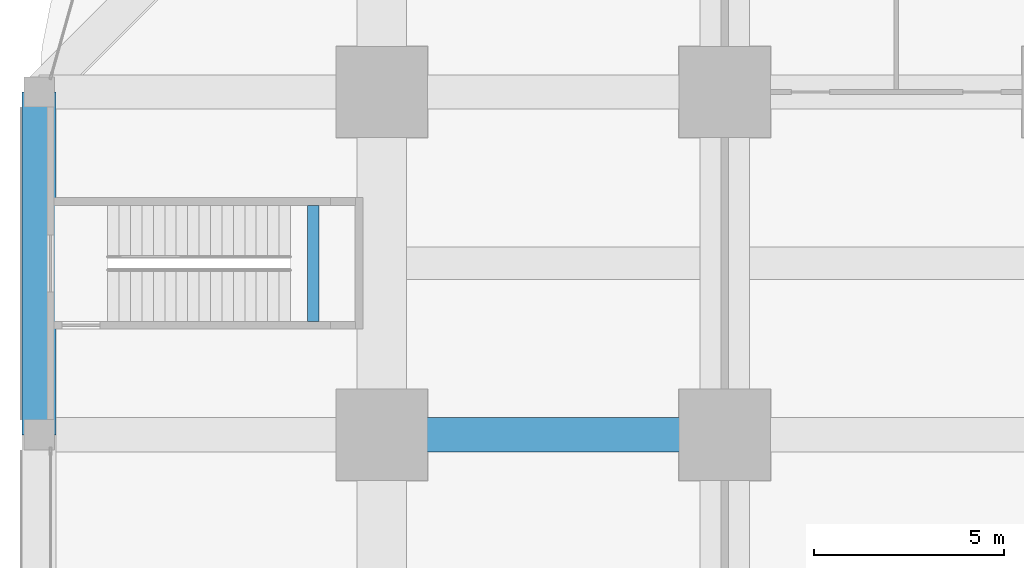
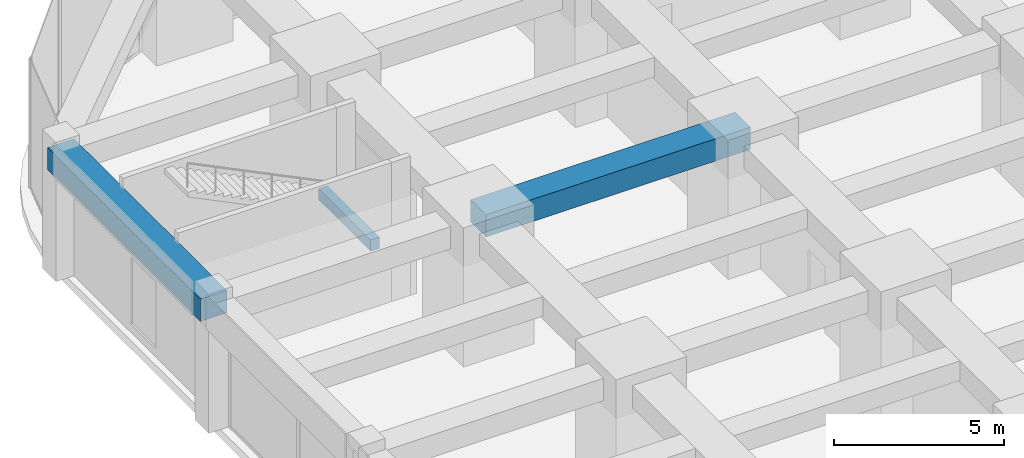
# One storey, part 19 of 46: 3 beams.
"""IFC4 building model written with IfcOpenShell, lengths in metres."""

from ifc_helpers import new_model, si_unit, direction, frame, origin, origin_2d, place, context, subcontext, project, spatial, rectangle, extrude, material, material_profile, profile_set, type_object, element, save


model = new_model("IFC4")

# Units and contexts
model_context = context("Model", 3, precision=1e-05, world=origin(), true_north=direction((0.0, 1.0)))
body_context = subcontext(model_context, "Body", "Model", "MODEL_VIEW")
ifc_project = project(units=[si_unit("LENGTHUNIT", "METRE"), si_unit("AREAUNIT", "SQUARE_METRE"), si_unit("VOLUMEUNIT", "CUBIC_METRE"), si_unit("PLANEANGLEUNIT", "RADIAN"), si_unit("MASSUNIT", "GRAM", prefix="KILO")], contexts=[model_context])

# Site, building, storey
site_placement = place(None, origin())
site = spatial("IfcSite", under=ifc_project, at=site_placement, CompositionType="ELEMENT")
building_placement = place(site_placement, origin())
building = spatial("IfcBuilding", under=site, at=building_placement, Name="Zorevar Civic Tower", CompositionType="ELEMENT")
storey_placement = place(building_placement, frame((0.0, 0.0, 10.800048828125)))
storey = spatial("IfcBuildingStorey", under=building, at=storey_placement, Name="L02", CompositionType="ELEMENT", Elevation=10.800048828125)

# Beams
ifc_material_1 = material(Name="Concrete C50/60", Category="concrete")
ifc_material_profile_1 = material_profile(ifc_material_1, rectangle(XDim=0.89990234375, YDim=0.800048828125, at=origin_2d()), Name="RC 900x800")
ifc_profile_set_1 = profile_set([ifc_material_profile_1], Name="Concrete C50/60")
beam_type_1 = type_object("IfcBeamType", Name="Beam RC 900x800", PredefinedType="BEAM", material=ifc_profile_set_1)
beam_1_placement = place(storey_placement, frame((0.0, 36.0, 4.199951171875), z_axis=(1.0, 0.0, 0.0), x_axis=(0.0, 1.0, 0.0)))
element("IfcBeam", 1, at=beam_1_placement, inside=storey, type_object=beam_type_1, Name="Girder L03", PredefinedType="BEAM", context=body_context, shape_type="SweptSolid", body=[
    extrude(rectangle(XDim=0.89990234375, YDim=0.800048828125, at=origin_2d()), origin(), (0.0, 0.0, 1.0), 9.0),
])
ifc_material_2 = material(Name="Concrete C50/60", Category="concrete")
ifc_material_profile_2 = material_profile(ifc_material_2, rectangle(XDim=0.89990234375, YDim=0.800048828125, at=origin_2d()), Name="RC 900x800")
ifc_profile_set_2 = profile_set([ifc_material_profile_2], Name="Concrete C50/60")
beam_type_2 = type_object("IfcBeamType", Name="Edge beam RC 900x800", PredefinedType="SPANDREL", material=ifc_profile_set_2)
beam_2_placement = place(storey_placement, frame((-9.0, 36.0, 4.199951171875), z_axis=(0.0, 1.0, 0.0), x_axis=(-1.0, 0.0, 0.0)))
element("IfcBeam", 2, at=beam_2_placement, inside=storey, type_object=beam_type_2, Name="Edge beam L03", PredefinedType="SPANDREL", context=body_context, shape_type="SweptSolid", body=[
    extrude(rectangle(XDim=0.89990234375, YDim=0.800048828125, at=origin_2d()), origin(), (0.0, 0.0, 1.0), 9.0),
])
ifc_material_3 = material(Name="Concrete C30/37", Category="concrete")
ifc_material_profile_3 = material_profile(ifc_material_3, rectangle(XDim=0.300048828125, YDim=0.39990234375, at=origin_2d()), Name="RC 300x400")
ifc_profile_set_3 = profile_set([ifc_material_profile_3], Name="Concrete C30/37")
beam_type_3 = type_object("IfcBeamType", Name="Landing beam RC 300x400", PredefinedType="BEAM", material=ifc_profile_set_3)
beam_3_placement = place(storey_placement, frame((-1.800048828125, 38.97509765625, 2.099853515625), z_axis=(0.0, 1.0, 0.0), x_axis=(-1.0, 0.0, 0.0)))
element("IfcBeam", 3, at=beam_3_placement, inside=storey, type_object=beam_type_3, Name="Landing beam PS1 L02", PredefinedType="BEAM", context=body_context, shape_type="SweptSolid", body=[
    extrude(rectangle(XDim=0.300048828125, YDim=0.39990234375, at=origin_2d()), origin(), (0.0, 0.0, 1.0), 3.0498046875),
])

save(model, "model.ifc")
